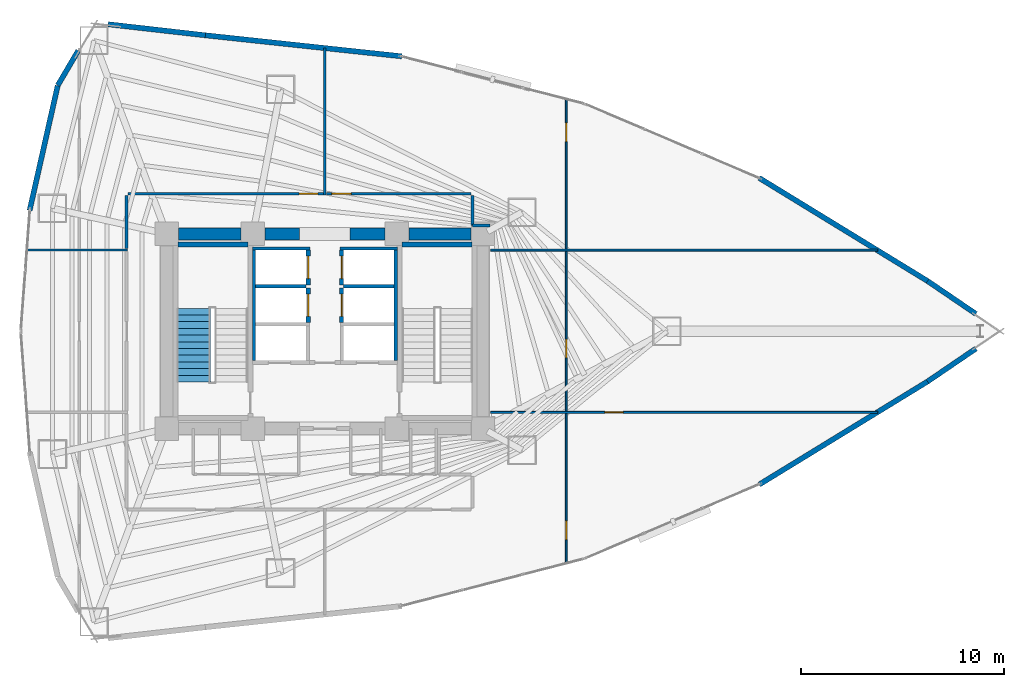
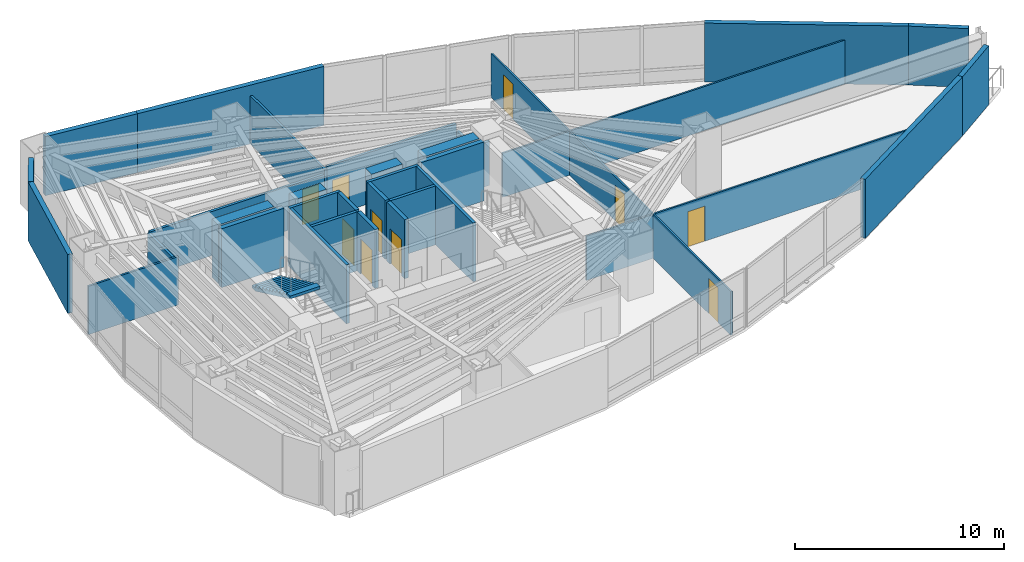
# One storey, part 16 of 20: 34 walls, 10 doors, 1 stair flight, 10 openings, 1 element without a shape of its own.
"""IFC4 building model written with IfcOpenShell, lengths in metres."""

from ifc_helpers import new_model, si_unit, direction, frame, frame_2d, origin, place, context, subcontext, project, spatial, polyline, rectangle, outline, extrude, material, layer, layer_set, type_object, element, fill, aggregate, save


model = new_model("IFC4")

# Units and contexts
model_context = context("Model", 3, precision=1e-05, world=origin(), true_north=direction((0.0, 1.0)))
body_context = subcontext(model_context, "Body", "Model", "MODEL_VIEW")
ifc_project = project(units=[si_unit("LENGTHUNIT", "METRE"), si_unit("AREAUNIT", "SQUARE_METRE"), si_unit("VOLUMEUNIT", "CUBIC_METRE"), si_unit("PLANEANGLEUNIT", "RADIAN"), si_unit("MASSUNIT", "GRAM", prefix="KILO")], contexts=[model_context])

# Site, building, storey
site_placement = place(None, origin())
site = spatial("IfcSite", under=ifc_project, at=site_placement, CompositionType="ELEMENT")
building_placement = place(site_placement, origin())
building = spatial("IfcBuilding", under=site, at=building_placement, Name="Menara Vayukalpa", CompositionType="ELEMENT")
storey_placement = place(building_placement, frame((0.0, 0.0, 64.800048828125)))
storey = spatial("IfcBuildingStorey", under=building, at=storey_placement, Name="L15", CompositionType="ELEMENT", Elevation=64.800048828125)

# Walls
ifc_material_1 = material(Name="Concrete C70/85", Category="concrete")
ifc_layer_1 = layer(ifc_material_1, 0.60009765625)
ifc_layer_set_1 = layer_set([ifc_layer_1], Name="Concrete C70/85")
wall_type_1 = type_object("IfcWallType", Name="WAL-CW600", PredefinedType="SHEAR", material=ifc_layer_set_1)
wall_1_placement = place(storey_placement, frame((18.39501953125, 26.800048828125, 0.0), z_axis=(0.0, 0.0, 1.0), x_axis=(1.0, 0.0, 0.0)))
element("IfcWall", 1, at=wall_1_placement, inside=storey, type_object=wall_type_1, Name="L15 Buttressed Core Shear Wall CWN1", PredefinedType="SHEAR", context=body_context, shape_type="SweptSolid", body=[
    extrude(rectangle(XDim=3.06005859375, YDim=0.60009765625, at=frame_2d((1.530029296875, 0.0))), origin(), (0.0, 0.0, 1.0), 3.43994140625),
])
wall_2_placement = place(storey_placement, frame((22.64501953125, 26.800048828125, 0.0), z_axis=(0.0, 0.0, 1.0), x_axis=(1.0, 0.0, 0.0)))
element("IfcWall", 2, at=wall_2_placement, inside=storey, type_object=wall_type_1, Name="L15 Buttressed Core Shear Wall CWN2", PredefinedType="SHEAR", context=body_context, shape_type="SweptSolid", body=[
    extrude(rectangle(XDim=1.705078125, YDim=0.60009765625, at=frame_2d((0.8525390625, 0.0))), origin(), (0.0, 0.0, 1.0), 3.43994140625),
])
wall_3_placement = place(storey_placement, frame((26.85009765625, 26.800048828125, 0.0), z_axis=(0.0, 0.0, 1.0), x_axis=(1.0, 0.0, 0.0)))
element("IfcWall", 3, at=wall_3_placement, inside=storey, type_object=wall_type_1, Name="L15 Buttressed Core Shear Wall CWN3", PredefinedType="SHEAR", context=body_context, shape_type="SweptSolid", body=[
    extrude(rectangle(XDim=1.704833984375, YDim=0.60009765625, at=frame_2d((0.8525390625, 0.0))), origin(), (0.0, 0.0, 1.0), 3.43994140625),
])
wall_4_placement = place(storey_placement, frame((29.7451171875, 26.800048828125, 0.0), z_axis=(0.0, 0.0, 1.0), x_axis=(1.0, 0.0, 0.0)))
element("IfcWall", 4, at=wall_4_placement, inside=storey, type_object=wall_type_1, Name="L15 Buttressed Core Shear Wall CWN4", PredefinedType="SHEAR", context=body_context, shape_type="SweptSolid", body=[
    extrude(rectangle(XDim=3.059814453125, YDim=0.60009765625, at=frame_2d((1.52978515625, 0.0))), origin(), (0.0, 0.0, 1.0), 3.43994140625),
])
ifc_material_2 = material(Name="Insulated Precast Concrete C40/50", Category="concrete")
ifc_layer_2 = layer(ifc_material_2, 0.260009765625)
ifc_layer_set_2 = layer_set([ifc_layer_2], Name="Insulated Precast Concrete C40/50")
wall_type_2 = type_object("IfcWallType", Name="WAL-EXT260", PredefinedType="PARTITIONING", material=ifc_layer_set_2)
for number, where, z_axis, x_axis, name in (
    (5, (57.69921875, 21.143798828125, 0.0), (0.0, 0.0, 1.0), (-0.826683887239, -0.562666642498, 0.0), "L15 Perimeter Terracotta Pier Wall 01"),
    (6, (55.315673828125, 24.478515625, 0.0), (0.0, 0.0, 1.0), (0.826683887239, -0.562666642498, 0.0), "L15 Perimeter Terracotta Pier Wall 02"),
):
    element("IfcWall", number, at=place(storey_placement, frame(where, z_axis=z_axis, x_axis=x_axis)), inside=storey, type_object=wall_type_2, Name=name, PredefinedType="PARTITIONING", context=body_context, shape_type="SweptSolid", body=[
        extrude(rectangle(XDim=2.88330078125, YDim=0.260009765625, at=frame_2d((1.441650390625, 0.0))), origin(), (0.0, 0.0, 1.0), 3.43994140625),
    ])
wall_5_placement = place(storey_placement, frame((47.00390625, 29.56591796875, 0.0), z_axis=(0.0, 0.0, 1.0), x_axis=(0.852895644524, -0.522081430001, 0.0)))
element("IfcWall", 7, at=wall_5_placement, inside=storey, type_object=wall_type_2, Name="L15 Perimeter Terracotta Pier Wall 03", PredefinedType="PARTITIONING", context=body_context, shape_type="SweptSolid", body=[
    extrude(rectangle(XDim=9.757080078125, YDim=0.260009765625, at=frame_2d((4.87841796875, 0.0))), origin(), (0.0, 0.0, 1.0), 3.43994140625),
])
wall_6_placement = place(storey_placement, frame((19.69580078125, 36.5947265625, 0.0), z_axis=(0.0, 0.0, 1.0), x_axis=(0.994319088673, -0.106440358419, 0.0)))
element("IfcWall", 8, at=wall_6_placement, inside=storey, type_object=wall_type_2, Name="L15 Perimeter Terracotta Pier Wall 06", PredefinedType="PARTITIONING", context=body_context, shape_type="SweptSolid", body=[
    extrude(rectangle(XDim=9.75732421875, YDim=0.260009765625, at=frame_2d((4.878662109375, 0.0))), origin(), (0.0, 0.0, 1.0), 3.43994140625),
])
wall_7_placement = place(storey_placement, frame((14.909423828125, 37.1376953125, 0.0), z_axis=(0.0, 0.0, 1.0), x_axis=(0.993630237788, -0.112689620435, 0.0)))
element("IfcWall", 9, at=wall_7_placement, inside=storey, type_object=wall_type_2, Name="L15 Perimeter Terracotta Pier Wall 07", PredefinedType="PARTITIONING", context=body_context, shape_type="SweptSolid", body=[
    extrude(rectangle(XDim=4.8291015625, YDim=0.260009765625, at=frame_2d((2.41455078125, 0.0))), origin(), (0.0, 0.0, 1.0), 3.43994140625),
])
wall_8_placement = place(storey_placement, frame((12.43212890625, 34.126953125, 0.0), z_axis=(0.0, 0.0, 1.0), x_axis=(0.506772954594, 0.862079562739, 0.0)))
element("IfcWall", 10, at=wall_8_placement, inside=storey, type_object=wall_type_2, Name="L15 Perimeter Terracotta Pier Wall 08", PredefinedType="PARTITIONING", context=body_context, shape_type="SweptSolid", body=[
    extrude(rectangle(XDim=1.98583984375, YDim=0.260009765625, at=frame_2d((0.992919921875, 0.0))), origin(), (0.0, 0.0, 1.0), 3.43994140625),
])
wall_9_placement = place(storey_placement, frame((11.0400390625, 27.952392578125, 0.0), z_axis=(0.0, 0.0, 1.0), x_axis=(0.219505752381, 0.975611205692, 0.0)))
element("IfcWall", 11, at=wall_9_placement, inside=storey, type_object=wall_type_2, Name="L15 Perimeter Terracotta Pier Wall 09", PredefinedType="PARTITIONING", context=body_context, shape_type="SweptSolid", body=[
    extrude(rectangle(XDim=6.31201171875, YDim=0.260009765625, at=frame_2d((3.156005859375, 0.0))), origin(), (0.0, 0.0, 1.0), 3.43994140625),
])
wall_10_placement = place(storey_placement, frame((55.32568359375, 19.528076171875, 0.0), z_axis=(0.0, 0.0, 1.0), x_axis=(-0.852895644524, -0.522081430001, 0.0)))
element("IfcWall", 12, at=wall_10_placement, inside=storey, type_object=wall_type_2, Name="L15 Perimeter Terracotta Pier Wall 18", PredefinedType="PARTITIONING", context=body_context, shape_type="SweptSolid", body=[
    extrude(rectangle(XDim=9.757080078125, YDim=0.260009765625, at=frame_2d((4.87841796875, 0.0))), origin(), (0.0, 0.0, 1.0), 3.43994140625),
])
ifc_material_3 = material(Name="Lightweight Concrete Blockwork C16/20", Category="masonry")
ifc_layer_3 = layer(ifc_material_3, 0.159912109375)
ifc_layer_set_3 = layer_set([ifc_layer_3], Name="Lightweight Concrete Blockwork C16/20")
wall_type_3 = type_object("IfcWallType", Name="WAL-FR150", PredefinedType="PARTITIONING", material=ifc_layer_set_3)
wall_11_placement = place(storey_placement, frame((22.10498046875, 20.56005859375, 0.0), z_axis=(0.0, 0.0, 1.0), x_axis=(0.0, 1.0, 0.0)))
element("IfcWall", 13, at=wall_11_placement, inside=storey, type_object=wall_type_3, Name="L15 Interior Partition IW-L15-SHW-WW", PredefinedType="PARTITIONING", context=body_context, shape_type="SweptSolid", body=[
    extrude(rectangle(XDim=5.449951171875, YDim=0.159912109375, at=frame_2d((2.72509765625, 0.0))), origin(), (0.0, 0.0, 1.0), 3.43994140625),
])
wall_12_placement = place(storey_placement, frame((22.179931640625, 24.215087890625, 0.0), z_axis=(0.0, 0.0, 1.0), x_axis=(1.0, 0.0, 0.0)))
element("IfcWall", 14, at=wall_12_placement, inside=storey, type_object=wall_type_3, Name="L15 Interior Partition IW-L15-SHM-W23", PredefinedType="PARTITIONING", context=body_context, shape_type="SweptSolid", body=[
    extrude(rectangle(XDim=2.489990234375, YDim=0.159912109375, at=frame_2d((1.2451171875, 0.0))), origin(), (0.0, 0.0, 1.0), 3.43994140625),
])
wall_13_placement = place(storey_placement, frame((22.030029296875, 26.0849609375, 0.0), z_axis=(0.0, 0.0, 1.0), x_axis=(1.0, 0.0, 0.0)))
element("IfcWall", 15, at=wall_13_placement, inside=storey, type_object=wall_type_3, Name="L15 Interior Partition IW-L15-SHM-W3N", PredefinedType="PARTITIONING", context=body_context, shape_type="SweptSolid", body=[
    extrude(rectangle(XDim=2.830078125, YDim=0.159912109375, at=frame_2d((1.4150390625, 0.0))), origin(), (0.0, 0.0, 1.0), 3.43994140625),
])
wall_14_placement = place(storey_placement, frame((29.094970703125, 20.56005859375, 0.0), z_axis=(0.0, 0.0, 1.0), x_axis=(0.0, 1.0, 0.0)))
element("IfcWall", 16, at=wall_14_placement, inside=storey, type_object=wall_type_3, Name="L15 Interior Partition IW-L15-SHW-EE", PredefinedType="PARTITIONING", context=body_context, shape_type="SweptSolid", body=[
    extrude(rectangle(XDim=5.449951171875, YDim=0.159912109375, at=frame_2d((2.72509765625, 0.0))), origin(), (0.0, 0.0, 1.0), 3.43994140625),
])
wall_15_placement = place(storey_placement, frame((26.530029296875, 24.215087890625, 0.0), z_axis=(0.0, 0.0, 1.0), x_axis=(1.0, 0.0, 0.0)))
element("IfcWall", 17, at=wall_15_placement, inside=storey, type_object=wall_type_3, Name="L15 Interior Partition IW-L15-SHM-E32", PredefinedType="PARTITIONING", context=body_context, shape_type="SweptSolid", body=[
    extrude(rectangle(XDim=2.489990234375, YDim=0.159912109375, at=frame_2d((1.2451171875, 0.0))), origin(), (0.0, 0.0, 1.0), 3.43994140625),
])
wall_16_placement = place(storey_placement, frame((26.340087890625, 26.0849609375, 0.0), z_axis=(0.0, 0.0, 1.0), x_axis=(1.0, 0.0, 0.0)))
element("IfcWall", 18, at=wall_16_placement, inside=storey, type_object=wall_type_3, Name="L15 Interior Partition IW-L15-SHM-E2N", PredefinedType="PARTITIONING", context=body_context, shape_type="SweptSolid", body=[
    extrude(rectangle(XDim=2.829833984375, YDim=0.159912109375, at=frame_2d((1.4150390625, 0.0))), origin(), (0.0, 0.0, 1.0), 3.43994140625),
])

# Wall, opening, door
ifc_material_4 = material(Name="Lightweight Concrete Blockwork C16/20", Category="masonry")
ifc_layer_4 = layer(ifc_material_4, 0.199951171875)
ifc_layer_set_4 = layer_set([ifc_layer_4], Name="Lightweight Concrete Blockwork C16/20")
wall_type_4 = type_object("IfcWallType", Name="WAL-FR200", PredefinedType="PARTITIONING", material=ifc_layer_set_4)
wall_17_placement = place(storey_placement, frame((24.780029296875, 22.419921875, 0.0), z_axis=(0.0, 0.0, 1.0), x_axis=(0.0, 1.0, 0.0)))
wall_17 = element("IfcWall", 19, at=wall_17_placement, inside=storey, type_object=wall_type_4, Name="L15 Interior Partition IW-L15-SH-W2", PredefinedType="PARTITIONING", context=body_context, shape_type="SweptSolid", body=[
    extrude(rectangle(XDim=1.719970703125, YDim=0.199951171875, at=frame_2d((0.85986328125, 0.0))), origin(), (0.0, 0.0, 1.0), 3.43994140625),
])
opening_1_placement = place(wall_17_placement, frame((0.31005859375, 0.0, 0.0)))
opening_1 = element("IfcOpeningElement", 20, at=opening_1_placement, cuts=wall_17, Name="Opening LD1", PredefinedType="OPENING", context=body_context, shape_type="SweptSolid", body=[
    extrude(rectangle(XDim=1.10009765625, YDim=2.080078125, at=frame_2d((0.550048828125, 1.0400390625))), frame((0.0, 0.10986328125, 0.0), z_axis=(0.0, -1.0, 0.0), x_axis=(1.0, 0.0, 0.0)), (0.0, 0.0, 1.0), 0.219970703125),
])
ifc_material_5 = material(Name="Brushed Stainless Steel 316 Lift Door", Category="steel")
door_type_1 = type_object("IfcDoorType", Name="DR-LD110", OperationType="NOTDEFINED", PredefinedType="DOOR", material=ifc_material_5)
door_1_placement = place(opening_1_placement, origin())
door_1 = element("IfcDoor", 21, at=door_1_placement, inside=storey, type_object=door_type_1, Name="L15 Interior Door DR-L15-LD-W2", OperationType="DOUBLE_DOOR_SLIDING", OverallHeight=2.080078125, OverallWidth=1.10009765625, PredefinedType="DOOR", context=body_context, shape_type="SweptSolid", body=[
    extrude(rectangle(XDim=1.10009765625, YDim=2.080078125, at=frame_2d((0.550048828125, 1.0400390625))), frame((0.0, 0.02490234375, 0.0), z_axis=(0.0, -1.0, 0.0), x_axis=(1.0, 0.0, 0.0)), (0.0, 0.0, 1.0), 0.050048828125),
])
fill(opening_1, door_1)

wall_18_placement = place(storey_placement, frame((24.780029296875, 24.2900390625, 0.0), z_axis=(0.0, 0.0, 1.0), x_axis=(0.0, 1.0, 0.0)))
wall_18 = element("IfcWall", 22, at=wall_18_placement, inside=storey, type_object=wall_type_4, Name="L15 Interior Partition IW-L15-SH-W3", PredefinedType="PARTITIONING", context=body_context, shape_type="SweptSolid", body=[
    extrude(rectangle(XDim=1.719970703125, YDim=0.199951171875, at=frame_2d((0.85986328125, 0.0))), origin(), (0.0, 0.0, 1.0), 3.43994140625),
])
opening_2_placement = place(wall_18_placement, frame((0.31005859375, 0.0, 0.0)))
opening_2 = element("IfcOpeningElement", 23, at=opening_2_placement, cuts=wall_18, Name="Opening LD1", PredefinedType="OPENING", context=body_context, shape_type="SweptSolid", body=[
    extrude(rectangle(XDim=1.10009765625, YDim=2.080078125, at=frame_2d((0.550048828125, 1.0400390625))), frame((0.0, 0.10986328125, 0.0), z_axis=(0.0, -1.0, 0.0), x_axis=(1.0, 0.0, 0.0)), (0.0, 0.0, 1.0), 0.219970703125),
])
door_2_placement = place(opening_2_placement, origin())
door_2 = element("IfcDoor", 24, at=door_2_placement, inside=storey, type_object=door_type_1, Name="L15 Interior Door DR-L15-LD-W3", OperationType="DOUBLE_DOOR_SLIDING", OverallHeight=2.080078125, OverallWidth=1.10009765625, PredefinedType="DOOR", context=body_context, shape_type="SweptSolid", body=[
    extrude(rectangle(XDim=1.10009765625, YDim=2.080078125, at=frame_2d((0.550048828125, 1.0400390625))), frame((0.0, 0.02490234375, 0.0), z_axis=(0.0, -1.0, 0.0), x_axis=(1.0, 0.0, 0.0)), (0.0, 0.0, 1.0), 0.050048828125),
])
fill(opening_2, door_2)

wall_19_placement = place(storey_placement, frame((26.419921875, 22.419921875, 0.0), z_axis=(0.0, 0.0, 1.0), x_axis=(0.0, 1.0, 0.0)))
wall_19 = element("IfcWall", 25, at=wall_19_placement, inside=storey, type_object=wall_type_4, Name="L15 Interior Partition IW-L15-SH-E3", PredefinedType="PARTITIONING", context=body_context, shape_type="SweptSolid", body=[
    extrude(rectangle(XDim=1.719970703125, YDim=0.199951171875, at=frame_2d((0.85986328125, 0.0))), origin(), (0.0, 0.0, 1.0), 3.43994140625),
])
opening_3_placement = place(wall_19_placement, frame((0.31005859375, 0.0, 0.0)))
opening_3 = element("IfcOpeningElement", 26, at=opening_3_placement, cuts=wall_19, Name="Opening LD1", PredefinedType="OPENING", context=body_context, shape_type="SweptSolid", body=[
    extrude(rectangle(XDim=1.10009765625, YDim=2.080078125, at=frame_2d((0.550048828125, 1.0400390625))), frame((0.0, 0.10986328125, 0.0), z_axis=(0.0, -1.0, 0.0), x_axis=(1.0, 0.0, 0.0)), (0.0, 0.0, 1.0), 0.219970703125),
])
door_3_placement = place(opening_3_placement, origin())
door_3 = element("IfcDoor", 27, at=door_3_placement, inside=storey, type_object=door_type_1, Name="L15 Interior Door DR-L15-LD-E3", OperationType="DOUBLE_DOOR_SLIDING", OverallHeight=2.080078125, OverallWidth=1.10009765625, PredefinedType="DOOR", context=body_context, shape_type="SweptSolid", body=[
    extrude(rectangle(XDim=1.10009765625, YDim=2.080078125, at=frame_2d((0.550048828125, 1.0400390625))), frame((0.0, 0.02490234375, 0.0), z_axis=(0.0, -1.0, 0.0), x_axis=(1.0, 0.0, 0.0)), (0.0, 0.0, 1.0), 0.050048828125),
])
fill(opening_3, door_3)

wall_20_placement = place(storey_placement, frame((26.419921875, 24.2900390625, 0.0), z_axis=(0.0, 0.0, 1.0), x_axis=(0.0, 1.0, 0.0)))
wall_20 = element("IfcWall", 28, at=wall_20_placement, inside=storey, type_object=wall_type_4, Name="L15 Interior Partition IW-L15-SH-E2", PredefinedType="PARTITIONING", context=body_context, shape_type="SweptSolid", body=[
    extrude(rectangle(XDim=1.719970703125, YDim=0.199951171875, at=frame_2d((0.85986328125, 0.0))), origin(), (0.0, 0.0, 1.0), 3.43994140625),
])
opening_4_placement = place(wall_20_placement, frame((0.31005859375, 0.0, 0.0)))
opening_4 = element("IfcOpeningElement", 29, at=opening_4_placement, cuts=wall_20, Name="Opening LD1", PredefinedType="OPENING", context=body_context, shape_type="SweptSolid", body=[
    extrude(rectangle(XDim=1.10009765625, YDim=2.080078125, at=frame_2d((0.550048828125, 1.0400390625))), frame((0.0, 0.10986328125, 0.0), z_axis=(0.0, -1.0, 0.0), x_axis=(1.0, 0.0, 0.0)), (0.0, 0.0, 1.0), 0.219970703125),
])
door_4_placement = place(opening_4_placement, origin())
door_4 = element("IfcDoor", 30, at=door_4_placement, inside=storey, type_object=door_type_1, Name="L15 Interior Door DR-L15-LD-E2", OperationType="DOUBLE_DOOR_SLIDING", OverallHeight=2.080078125, OverallWidth=1.10009765625, PredefinedType="DOOR", context=body_context, shape_type="SweptSolid", body=[
    extrude(rectangle(XDim=1.10009765625, YDim=2.080078125, at=frame_2d((0.550048828125, 1.0400390625))), frame((0.0, 0.02490234375, 0.0), z_axis=(0.0, -1.0, 0.0), x_axis=(1.0, 0.0, 0.0)), (0.0, 0.0, 1.0), 0.050048828125),
])
fill(opening_4, door_4)

# Wall, openings, doors
ifc_material_6 = material(Name="Glazed Demountable Office Partition", Category="glass")
ifc_layer_5 = layer(ifc_material_6, 0.094970703125)
ifc_layer_set_5 = layer_set([ifc_layer_5], Name="Glazed Demountable Office Partition")
wall_type_5 = type_object("IfcWallType", Name="WAL-PT100", PredefinedType="PARTITIONING", material=ifc_layer_set_5)
wall_21_placement = place(storey_placement, frame((37.5, 10.545654296875, 0.0), z_axis=(0.0, 0.0, 1.0), x_axis=(0.0, 1.0, 0.0)))
wall_21 = element("IfcWall", 31, at=wall_21_placement, inside=storey, type_object=wall_type_5, Name="L15 Interior Partition IW-L15-RDIV04", PredefinedType="PARTITIONING", context=body_context, shape_type="SweptSolid", body=[
    extrude(rectangle(XDim=22.90869140625, YDim=0.094970703125, at=frame_2d((11.454345703125, 0.0))), origin(), (0.0, 0.0, 1.0), 2.570068359375),
])
opening_5_placement = place(wall_21_placement, frame((1.179931640625, 0.0, 0.0)))
opening_5 = element("IfcOpeningElement", 32, at=opening_5_placement, cuts=wall_21, Name="Opening ID6", PredefinedType="OPENING", context=body_context, shape_type="SweptSolid", body=[
    extrude(rectangle(XDim=0.919921875, YDim=2.050048828125, at=frame_2d((0.4599609375, 1.02490234375))), frame((0.0, 0.057373046875, 0.0), z_axis=(0.0, -1.0, 0.0), x_axis=(1.0, 0.0, 0.0)), (0.0, 0.0, 1.0), 0.114990234375),
])
opening_6_placement = place(wall_21_placement, frame((10.144775390625, 0.0, 0.0)))
opening_6 = element("IfcOpeningElement", 33, at=opening_6_placement, cuts=wall_21, Name="Opening ID6", PredefinedType="OPENING", context=body_context, shape_type="SweptSolid", body=[
    extrude(rectangle(XDim=0.919921875, YDim=2.050048828125, at=frame_2d((0.4599609375, 1.02490234375))), frame((0.0, 0.057373046875, 0.0), z_axis=(0.0, -1.0, 0.0), x_axis=(1.0, 0.0, 0.0)), (0.0, 0.0, 1.0), 0.114990234375),
])
opening_7_placement = place(wall_21_placement, frame((20.80859375, 0.0, 0.0)))
opening_7 = element("IfcOpeningElement", 34, at=opening_7_placement, cuts=wall_21, Name="Opening ID6", PredefinedType="OPENING", context=body_context, shape_type="SweptSolid", body=[
    extrude(rectangle(XDim=0.919921875, YDim=2.050048828125, at=frame_2d((0.4599609375, 1.02490234375))), frame((0.0, 0.057373046875, 0.0), z_axis=(0.0, -1.0, 0.0), x_axis=(1.0, 0.0, 0.0)), (0.0, 0.0, 1.0), 0.114990234375),
])
ifc_material_7 = material(Name="Acoustic Hardwood Veneer Timber Door", Category="wood")
door_type_2 = type_object("IfcDoorType", Name="DR-INT92", OperationType="NOTDEFINED", PredefinedType="DOOR", material=ifc_material_7)
door_5_placement = place(opening_5_placement, origin())
door_5 = element("IfcDoor", 35, at=door_5_placement, inside=storey, type_object=door_type_2, Name="L15 Interior Door DR-L15-STE05", OperationType="SINGLE_SWING_LEFT", OverallHeight=2.050048828125, OverallWidth=0.919921875, PredefinedType="DOOR", context=body_context, shape_type="SweptSolid", body=[
    extrude(rectangle(XDim=0.919921875, YDim=2.050048828125, at=frame_2d((0.4599609375, 1.02490234375))), frame((0.0, 0.02490234375, 0.0), z_axis=(0.0, -1.0, 0.0), x_axis=(1.0, 0.0, 0.0)), (0.0, 0.0, 1.0), 0.050048828125),
])
fill(opening_5, door_5)
door_6_placement = place(opening_6_placement, origin())
door_6 = element("IfcDoor", 36, at=door_6_placement, inside=storey, type_object=door_type_2, Name="L15 Interior Door DR-L15-STE07", OperationType="SINGLE_SWING_RIGHT", OverallHeight=2.050048828125, OverallWidth=0.919921875, PredefinedType="DOOR", context=body_context, shape_type="SweptSolid", body=[
    extrude(rectangle(XDim=0.919921875, YDim=2.050048828125, at=frame_2d((0.4599609375, 1.02490234375))), frame((0.0, 0.02490234375, 0.0), z_axis=(0.0, -1.0, 0.0), x_axis=(1.0, 0.0, 0.0)), (0.0, 0.0, 1.0), 0.050048828125),
])
fill(opening_6, door_6)
door_7_placement = place(opening_7_placement, origin())
door_7 = element("IfcDoor", 37, at=door_7_placement, inside=storey, type_object=door_type_2, Name="L15 Interior Door DR-L15-STE08", OperationType="SINGLE_SWING_LEFT", OverallHeight=2.050048828125, OverallWidth=0.919921875, PredefinedType="DOOR", context=body_context, shape_type="SweptSolid", body=[
    extrude(rectangle(XDim=0.919921875, YDim=2.050048828125, at=frame_2d((0.4599609375, 1.02490234375))), frame((0.0, 0.02490234375, 0.0), z_axis=(0.0, -1.0, 0.0), x_axis=(1.0, 0.0, 0.0)), (0.0, 0.0, 1.0), 0.050048828125),
])
fill(opening_7, door_7)

# Wall, opening, door
wall_22_placement = place(storey_placement, frame((33.77001953125, 18.0, 0.0), z_axis=(0.0, 0.0, 1.0), x_axis=(1.0, 0.0, 0.0)))
wall_22 = element("IfcWall", 38, at=wall_22_placement, inside=storey, type_object=wall_type_5, Name="L15 Interior Partition IW-L15-RDIV06", PredefinedType="PARTITIONING", context=body_context, shape_type="SweptSolid", body=[
    extrude(rectangle(XDim=19.078369140625, YDim=0.094970703125, at=frame_2d((9.5390625, 0.0))), origin(), (0.0, 0.0, 1.0), 2.570068359375),
])
opening_8_placement = place(wall_22_placement, frame((5.62255859375, 0.0, 0.0)))
opening_8 = element("IfcOpeningElement", 39, at=opening_8_placement, cuts=wall_22, Name="Opening ID6", PredefinedType="OPENING", context=body_context, shape_type="SweptSolid", body=[
    extrude(rectangle(XDim=0.919921875, YDim=2.050048828125, at=frame_2d((0.4599609375, 1.02490234375))), frame((0.0, 0.057373046875, 0.0), z_axis=(0.0, -1.0, 0.0), x_axis=(1.0, 0.0, 0.0)), (0.0, 0.0, 1.0), 0.114990234375),
])
door_8_placement = place(opening_8_placement, origin())
door_8 = element("IfcDoor", 40, at=door_8_placement, inside=storey, type_object=door_type_2, Name="L15 Interior Door DR-L15-STE06", OperationType="SINGLE_SWING_RIGHT", OverallHeight=2.050048828125, OverallWidth=0.919921875, PredefinedType="DOOR", context=body_context, shape_type="SweptSolid", body=[
    extrude(rectangle(XDim=0.919921875, YDim=2.050048828125, at=frame_2d((0.4599609375, 1.02490234375))), frame((0.0, 0.02490234375, 0.0), z_axis=(0.0, -1.0, 0.0), x_axis=(1.0, 0.0, 0.0)), (0.0, 0.0, 1.0), 0.050048828125),
])
fill(opening_8, door_8)

# Walls
wall_23_placement = place(storey_placement, frame((33.77001953125, 26.0, 0.0), z_axis=(0.0, 0.0, 1.0), x_axis=(1.0, 0.0, 0.0)))
element("IfcWall", 41, at=wall_23_placement, inside=storey, type_object=wall_type_5, Name="L15 Interior Partition IW-L15-RDIV08", PredefinedType="PARTITIONING", context=body_context, shape_type="SweptSolid", body=[
    extrude(rectangle(XDim=19.078369140625, YDim=0.094970703125, at=frame_2d((9.5390625, 0.0))), origin(), (0.0, 0.0, 1.0), 2.570068359375),
])
ifc_material_8 = material(Name="Acoustic Mineral Stud Partition", Category="masonry")
ifc_layer_6 = layer(ifc_material_8, 0.110107421875)
ifc_layer_set_6 = layer_set([ifc_layer_6], Name="Acoustic Mineral Stud Partition")
wall_type_6 = type_object("IfcWallType", Name="WAL-PT110", PredefinedType="PARTITIONING", material=ifc_layer_set_6)
wall_24_placement = place(storey_placement, frame((10.899658203125, 26.0, 0.0), z_axis=(0.0, 0.0, 1.0), x_axis=(1.0, 0.0, 0.0)))
element("IfcWall", 42, at=wall_24_placement, inside=storey, type_object=wall_type_6, Name="L15 Interior Partition IW-L15-RDIV07", PredefinedType="PARTITIONING", context=body_context, shape_type="SweptSolid", body=[
    extrude(rectangle(XDim=4.970458984375, YDim=0.110107421875, at=frame_2d((2.4853515625, 0.0))), origin(), (0.0, 0.0, 1.0), 2.820068359375),
])
ifc_material_9 = material(Name="Gypsum Drywall Steel Stud Assembly", Category="steel")
ifc_layer_7 = layer(ifc_material_9, 0.125)
ifc_layer_set_7 = layer_set([ifc_layer_7], Name="Gypsum Drywall Steel Stud Assembly")
wall_type_7 = type_object("IfcWallType", Name="WAL-PT125", PredefinedType="PARTITIONING", material=ifc_layer_set_7)
wall_25_placement = place(storey_placement, frame((25.60009765625, 28.72998046875, 0.0), z_axis=(0.0, 0.0, 1.0), x_axis=(0.0, 1.0, 0.0)))
element("IfcWall", 43, at=wall_25_placement, inside=storey, type_object=wall_type_7, Name="L15 Interior Partition IW-L15-RDIV03", PredefinedType="PARTITIONING", context=body_context, shape_type="SweptSolid", body=[
    extrude(rectangle(XDim=7.242919921875, YDim=0.125, at=frame_2d((3.62158203125, 0.0))), origin(), (0.0, 0.0, 1.0), 2.820068359375),
])
ifc_material_10 = material(Name="Gypsum Drywall Acoustic Stud Assembly", Category="masonry")
ifc_layer_8 = layer(ifc_material_10, 0.14501953125)
ifc_layer_set_8 = layer_set([ifc_layer_8], Name="Gypsum Drywall Acoustic Stud Assembly")
wall_type_8 = type_object("IfcWallType", Name="WAL-PT150", PredefinedType="PARTITIONING", material=ifc_layer_set_8)
wall_26_placement = place(storey_placement, frame((33.739990234375, 27.219970703125, 0.0), z_axis=(0.0, 0.0, 1.0), x_axis=(-1.0, 0.0, 0.0)))
element("IfcWall", 44, at=wall_26_placement, inside=storey, type_object=wall_type_8, Name="L15 Interior Partition IW-L15-CRM09-1", PredefinedType="PARTITIONING", context=body_context, shape_type="SweptSolid", body=[
    extrude(rectangle(XDim=0.860107421875, YDim=0.14501953125, at=frame_2d((0.43017578125, 0.0))), origin(), (0.0, 0.0, 1.0), 2.570068359375),
])
wall_27_placement = place(storey_placement, frame((32.8798828125, 27.219970703125, 0.0), z_axis=(0.0, 0.0, 1.0), x_axis=(0.0, 1.0, 0.0)))
element("IfcWall", 45, at=wall_27_placement, inside=storey, type_object=wall_type_8, Name="L15 Interior Partition IW-L15-CRM09-2", PredefinedType="PARTITIONING", context=body_context, shape_type="SweptSolid", body=[
    extrude(rectangle(XDim=1.47998046875, YDim=0.14501953125, at=frame_2d((0.739990234375, 0.0))), origin(), (0.0, 0.0, 1.0), 2.570068359375),
])

# Wall, opening, door
wall_28_placement = place(storey_placement, frame((32.800048828125, 28.780029296875, 0.0), z_axis=(0.0, 0.0, 1.0), x_axis=(-1.0, 0.0, 0.0)))
wall_28 = element("IfcWall", 46, at=wall_28_placement, inside=storey, type_object=wall_type_8, Name="L15 Interior Partition IW-L15-CRM09-3", PredefinedType="PARTITIONING", context=body_context, shape_type="SweptSolid", body=[
    extrude(rectangle(XDim=7.130126953125, YDim=0.14501953125, at=frame_2d((3.56494140625, 0.0))), origin(), (0.0, 0.0, 1.0), 2.969970703125),
])
opening_9_placement = place(wall_28_placement, frame((5.89990234375, 0.0, 0.0)))
opening_9 = element("IfcOpeningElement", 47, at=opening_9_placement, cuts=wall_28, Name="Opening ID5", PredefinedType="OPENING", context=body_context, shape_type="SweptSolid", body=[
    extrude(rectangle(XDim=0.949951171875, YDim=2.06005859375, at=frame_2d((0.47509765625, 1.030029296875))), frame((0.0, 0.08251953125, 0.0), z_axis=(0.0, -1.0, 0.0), x_axis=(1.0, 0.0, 0.0)), (0.0, 0.0, 1.0), 0.1650390625),
])
ifc_material_11 = material(Name="Acoustic Hardwood Veneer Timber Door", Category="wood")
door_type_3 = type_object("IfcDoorType", Name="DR-INT95", OperationType="NOTDEFINED", PredefinedType="DOOR", material=ifc_material_11)
door_9_placement = place(opening_9_placement, origin())
door_9 = element("IfcDoor", 48, at=door_9_placement, inside=storey, type_object=door_type_3, Name="L15 Interior Door DR-L15-RM09", OperationType="SINGLE_SWING_LEFT", OverallHeight=2.06005859375, OverallWidth=0.949951171875, PredefinedType="DOOR", context=body_context, shape_type="SweptSolid", body=[
    extrude(rectangle(XDim=0.949951171875, YDim=2.06005859375, at=frame_2d((0.47509765625, 1.030029296875))), frame((0.0, 0.02490234375, 0.0), z_axis=(0.0, -1.0, 0.0), x_axis=(1.0, 0.0, 0.0)), (0.0, 0.0, 1.0), 0.050048828125),
])
fill(opening_9, door_9)

wall_29_placement = place(storey_placement, frame((25.530029296875, 28.780029296875, 0.0), z_axis=(0.0, 0.0, 1.0), x_axis=(-1.0, 0.0, 0.0)))
wall_29 = element("IfcWall", 49, at=wall_29_placement, inside=storey, type_object=wall_type_8, Name="L15 Interior Partition IW-L15-CRM10-1", PredefinedType="PARTITIONING", context=body_context, shape_type="SweptSolid", body=[
    extrude(rectangle(XDim=9.630126953125, YDim=0.14501953125, at=frame_2d((4.81494140625, 0.0))), origin(), (0.0, 0.0, 1.0), 2.570068359375),
])
opening_10_placement = place(wall_29_placement, frame((0.280029296875, 0.0, 0.0)))
opening_10 = element("IfcOpeningElement", 50, at=opening_10_placement, cuts=wall_29, Name="Opening ID6", PredefinedType="OPENING", context=body_context, shape_type="SweptSolid", body=[
    extrude(rectangle(XDim=0.919921875, YDim=2.050048828125, at=frame_2d((0.4599609375, 1.02490234375))), frame((0.0, 0.08251953125, 0.0), z_axis=(0.0, -1.0, 0.0), x_axis=(1.0, 0.0, 0.0)), (0.0, 0.0, 1.0), 0.1650390625),
])
door_10_placement = place(opening_10_placement, origin())
door_10 = element("IfcDoor", 51, at=door_10_placement, inside=storey, type_object=door_type_2, Name="L15 Interior Door DR-L15-RM10", OperationType="SINGLE_SWING_RIGHT", OverallHeight=2.050048828125, OverallWidth=0.919921875, PredefinedType="DOOR", context=body_context, shape_type="SweptSolid", body=[
    extrude(rectangle(XDim=0.919921875, YDim=2.050048828125, at=frame_2d((0.4599609375, 1.02490234375))), frame((0.0, 0.02490234375, 0.0), z_axis=(0.0, -1.0, 0.0), x_axis=(1.0, 0.0, 0.0)), (0.0, 0.0, 1.0), 0.050048828125),
])
fill(opening_10, door_10)

# Walls
wall_30_placement = place(storey_placement, frame((15.820068359375, 28.699951171875, 0.0), z_axis=(0.0, 0.0, 1.0), x_axis=(0.0, -1.0, 0.0)))
element("IfcWall", 52, at=wall_30_placement, inside=storey, type_object=wall_type_8, Name="L15 Interior Partition IW-L15-CRM10-2", PredefinedType="PARTITIONING", context=body_context, shape_type="SweptSolid", body=[
    extrude(rectangle(XDim=2.6298828125, YDim=0.14501953125, at=frame_2d((1.31494140625, 0.0))), origin(), (0.0, 0.0, 1.0), 2.570068359375),
])
ifc_material_12 = material(Name="Concrete C50/60", Category="concrete")
ifc_layer_9 = layer(ifc_material_12, 0.25)
ifc_layer_set_9 = layer_set([ifc_layer_9], Name="Concrete C50/60")
wall_type_9 = type_object("IfcWallType", Name="WAL-SW250", PredefinedType="SHEAR", material=ifc_layer_set_9)
for number, where, z_axis, x_axis, name in (
    (53, (18.35400390625, 26.27490234375, 0.0), (0.0, 0.0, 1.0), (1.0, 0.0, 0.0), "L15 ST1 Structural Stair Shaft Wall N"),
    (54, (29.39990234375, 26.27490234375, 0.0), (0.0, 0.0, 1.0), (1.0, 0.0, 0.0), "L15 ST2 Structural Stair Shaft Wall N"),
):
    element("IfcWall", number, at=place(storey_placement, frame(where, z_axis=z_axis, x_axis=x_axis)), inside=storey, type_object=wall_type_9, Name=name, PredefinedType="SHEAR", context=body_context, shape_type="SweptSolid", body=[
        extrude(rectangle(XDim=3.446044921875, YDim=0.25, at=frame_2d((1.72314453125, 0.0))), origin(), (0.0, 0.0, 1.0), 3.43994140625),
    ])

# Stair, stair flight
ifc_material_13 = material(Name="Precast Concrete C40/50", Category="concrete")
stair_type = type_object("IfcStairType", Name="STR-T04", PredefinedType="DOUBLE_RETURN_STAIR", material=ifc_material_13)
stair_placement = place(storey_placement, origin())
stair = element("IfcStair", 55, at=stair_placement, inside=storey, type_object=stair_type, Name="L15 Core Exit Stair ST-1", PredefinedType="DOUBLE_RETURN_STAIR")
ifc_material_14 = material(Name="Precast Concrete C40/50", Category="concrete")
stair_flight_type = type_object("IfcStairFlightType", Name="STF-T04", PredefinedType="STRAIGHT", material=ifc_material_14)
stair_flight_placement = place(storey_placement, frame((19.125, 23.1298828125, 1.85986328125), z_axis=(0.0, 0.0, 1.0), x_axis=(0.0, -1.0, 0.0)))
stair_flight = element("IfcStairFlight", 56, at=stair_flight_placement, type_object=stair_flight_type, Name="ST-1 flight 2", NumberOfRisers=12, NumberOfTreads=11, PredefinedType="STRAIGHT", RiserHeight=0.155, TreadLength=0.33, context=body_context, shape_type="SweptSolid", body=[
    extrude(outline(polyline([(0.0, 0.0), (0.0, 0.155029296875), (0.330078125, 0.155029296875), (0.330078125, 0.31005859375), (0.659912109375, 0.31005859375), (0.659912109375, 0.465087890625), (0.989990234375, 0.465087890625), (0.989990234375, 0.6201171875), (1.320068359375, 0.6201171875), (1.320068359375, 0.77490234375), (1.64990234375, 0.77490234375), (1.64990234375, 0.929931640625), (1.97998046875, 0.929931640625), (1.97998046875, 1.0849609375), (2.31005859375, 1.0849609375), (2.31005859375, 1.239990234375), (2.639892578125, 1.239990234375), (2.639892578125, 1.39501953125), (2.969970703125, 1.39501953125), (2.969970703125, 1.550048828125), (3.300048828125, 1.550048828125), (3.300048828125, 1.705078125), (3.6298828125, 1.705078125), (3.6298828125, 1.860107421875), (3.6298828125, 1.539306640625), (0.3525390625, 0.0), (0.0, 0.0)])), frame((0.0, 0.824951171875, 0.0), z_axis=(0.0, -1.0, 0.0), x_axis=(1.0, 0.0, 0.0)), (0.0, 0.0, 1.0), 1.64990234375),
])
aggregate(stair, [stair_flight])

save(model, "model.ifc")
